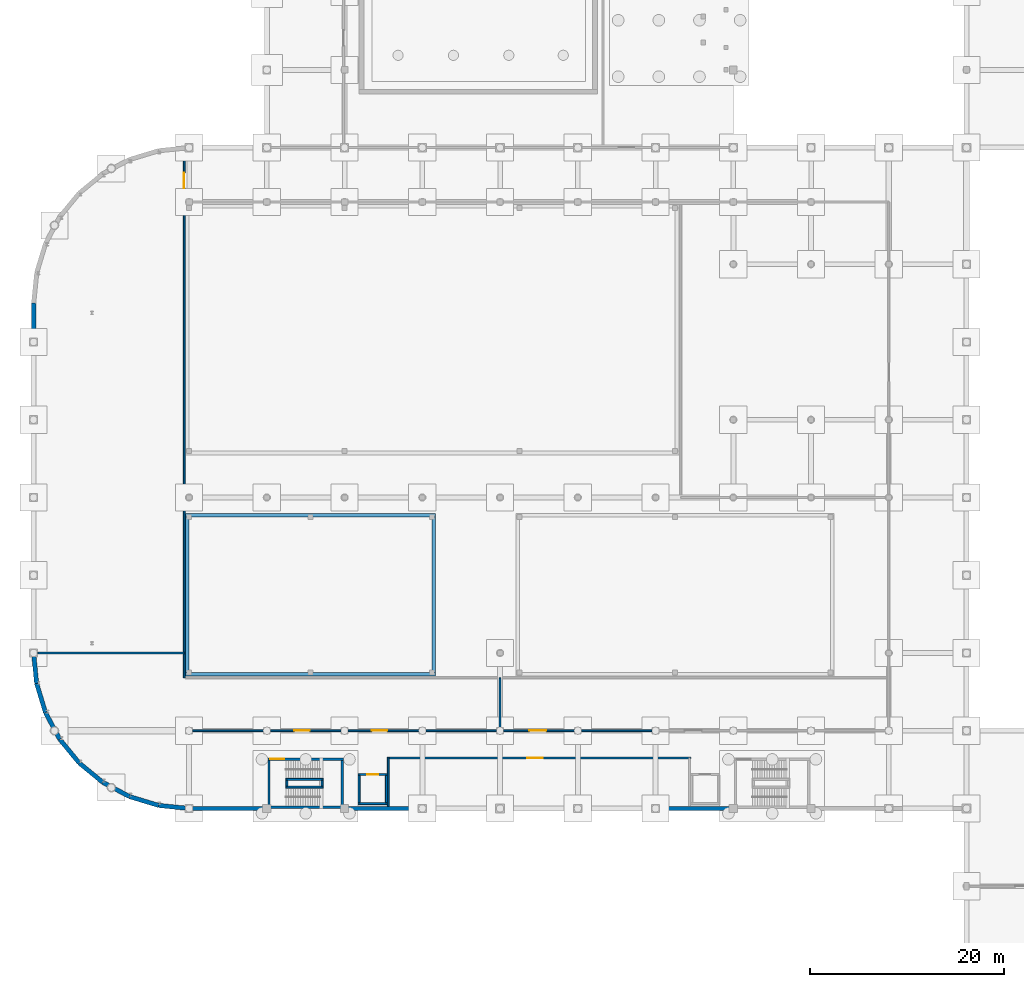
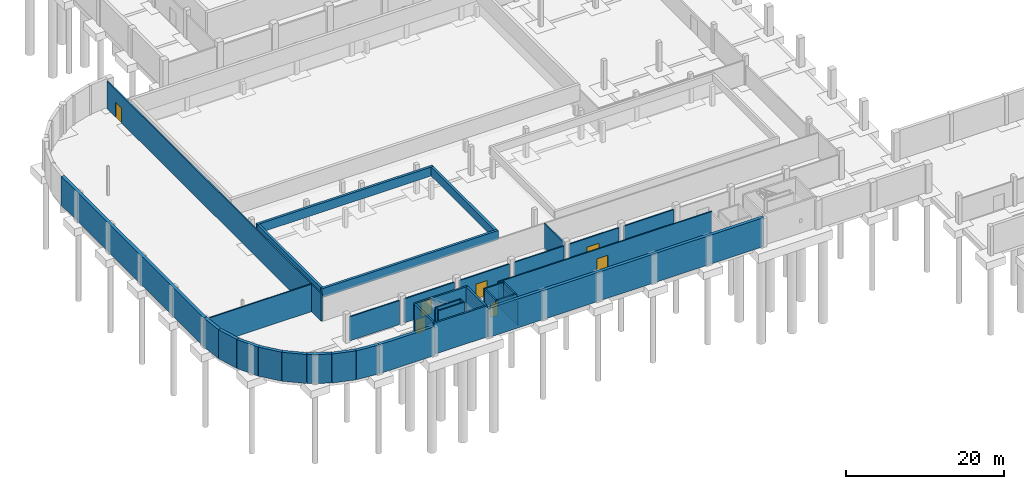
# One storey, part 19 of 29: 38 walls, 7 doors, 7 openings.
"""IFC4 building model written with IfcOpenShell, lengths in metres."""

from ifc_helpers import new_model, si_unit, direction, frame, frame_2d, origin, place, context, subcontext, project, spatial, rectangle, extrude, material, layer, layer_set, type_object, element, fill, save


model = new_model("IFC4")

# Units and contexts
model_context = context("Model", 3, precision=1e-05, world=origin(), true_north=direction((0.0, 1.0)))
body_context = subcontext(model_context, "Body", "Model", "MODEL_VIEW")
ifc_project = project(units=[si_unit("LENGTHUNIT", "METRE"), si_unit("AREAUNIT", "SQUARE_METRE"), si_unit("VOLUMEUNIT", "CUBIC_METRE"), si_unit("PLANEANGLEUNIT", "RADIAN"), si_unit("MASSUNIT", "GRAM", prefix="KILO")], contexts=[model_context])

# Site, building, storey
site_placement = place(None, origin())
site = spatial("IfcSite", under=ifc_project, at=site_placement, CompositionType="ELEMENT")
building_placement = place(site_placement, origin())
building = spatial("IfcBuilding", under=site, at=building_placement, Name="Drelvana Railside Aquatics Centre", CompositionType="ELEMENT")
storey_placement = place(building_placement, frame((0.0, 0.0, -4.800048828125)))
storey = spatial("IfcBuildingStorey", under=building, at=storey_placement, Name="B1", CompositionType="ELEMENT", Elevation=-4.800048828125)

# Wall
ifc_material_1 = material(Name="Concrete blockwork compartment wall", Category="masonry")
ifc_layer_1 = layer(ifc_material_1, 0.18505859375, Name="Concrete blockwork compartment wall")
ifc_layer_set_1 = layer_set([ifc_layer_1], Name="Concrete blockwork compartment wall")
wall_type_1 = type_object("IfcWallType", Name="WL-COMP-185", PredefinedType="STANDARD", material=ifc_layer_set_1)
wall_1_placement = place(storey_placement, frame((16.35205078125, 24.0, 0.0), z_axis=(0.0, 0.0, 1.0), x_axis=(1.0, 0.0, 0.0)))
element("IfcWall", 1, at=wall_1_placement, inside=storey, type_object=wall_type_1, Name="B1 South plant corridor N wall", PredefinedType="STANDARD", context=body_context, shape_type="SweptSolid", body=[
    extrude(rectangle(XDim=7.2958984375, YDim=0.18505859375, at=frame_2d((3.64794921875, 0.0))), origin(), (0.0, 0.0, 1.0), 3.699951171875),
])

# Wall, opening, door
wall_2_placement = place(storey_placement, frame((24.35205078125, 24.0, 0.0), z_axis=(0.0, 0.0, 1.0), x_axis=(1.0, 0.0, 0.0)))
wall_2 = element("IfcWall", 2, at=wall_2_placement, inside=storey, type_object=wall_type_1, Name="B1 South plant corridor N wall", PredefinedType="STANDARD", context=body_context, shape_type="SweptSolid", body=[
    extrude(rectangle(XDim=7.2958984375, YDim=0.18505859375, at=frame_2d((3.64794921875, 0.0))), origin(), (0.0, 0.0, 1.0), 3.699951171875),
])
opening_1_placement = place(wall_2_placement, frame((2.447998046875, 0.0, 0.0)))
opening_1 = element("IfcOpeningElement", 3, at=opening_1_placement, cuts=wall_2, Name="Opening D-04-105", PredefinedType="OPENING", context=body_context, shape_type="SweptSolid", body=[
    extrude(rectangle(XDim=1.60009765625, YDim=2.300048828125, at=frame_2d((0.800048828125, 1.14990234375))), frame((0.0, 0.1025390625, 0.0), z_axis=(0.0, -1.0, 0.0), x_axis=(1.0, 0.0, 0.0)), (0.0, 0.0, 1.0), 0.205078125),
])
ifc_material_2 = material(Name="Acoustic fire-rated steel plant door", Category="steel")
door_type_1 = type_object("IfcDoorType", Name="DR-INT-PLANT-1600x2300", OperationType="DOUBLE_DOOR_SINGLE_SWING", PredefinedType="DOOR", material=ifc_material_2)
door_1_placement = place(opening_1_placement, origin())
door_1 = element("IfcDoor", 4, at=door_1_placement, inside=storey, type_object=door_type_1, Name="Filtration plant west door D-04-105", OperationType="DOUBLE_DOOR_SINGLE_SWING", OverallHeight=2.300048828125, OverallWidth=1.60009765625, PredefinedType="DOOR", context=body_context, shape_type="SweptSolid", body=[
    extrude(rectangle(XDim=1.60009765625, YDim=2.300048828125, at=frame_2d((0.800048828125, 1.14990234375))), frame((0.0, 0.02490234375, 0.0), z_axis=(0.0, -1.0, 0.0), x_axis=(1.0, 0.0, 0.0)), (0.0, 0.0, 1.0), 0.050048828125),
])
fill(opening_1, door_1)

wall_3_placement = place(storey_placement, frame((32.35205078125, 24.0, 0.0), z_axis=(0.0, 0.0, 1.0), x_axis=(1.0, 0.0, 0.0)))
wall_3 = element("IfcWall", 5, at=wall_3_placement, inside=storey, type_object=wall_type_1, Name="B1 South plant corridor N wall", PredefinedType="STANDARD", context=body_context, shape_type="SweptSolid", body=[
    extrude(rectangle(XDim=7.2958984375, YDim=0.18505859375, at=frame_2d((3.64794921875, 0.0))), origin(), (0.0, 0.0, 1.0), 3.699951171875),
])
opening_2_placement = place(wall_3_placement, frame((2.447998046875, 0.0, 0.0)))
opening_2 = element("IfcOpeningElement", 6, at=opening_2_placement, cuts=wall_3, Name="Opening D-04-106", PredefinedType="OPENING", context=body_context, shape_type="SweptSolid", body=[
    extrude(rectangle(XDim=1.60009765625, YDim=2.300048828125, at=frame_2d((0.800048828125, 1.14990234375))), frame((0.0, 0.1025390625, 0.0), z_axis=(0.0, -1.0, 0.0), x_axis=(1.0, 0.0, 0.0)), (0.0, 0.0, 1.0), 0.205078125),
])
door_2_placement = place(opening_2_placement, origin())
door_2 = element("IfcDoor", 7, at=door_2_placement, inside=storey, type_object=door_type_1, Name="Filtration plant east door D-04-106", OperationType="DOUBLE_DOOR_SINGLE_SWING", OverallHeight=2.300048828125, OverallWidth=1.60009765625, PredefinedType="DOOR", context=body_context, shape_type="SweptSolid", body=[
    extrude(rectangle(XDim=1.60009765625, YDim=2.300048828125, at=frame_2d((0.800048828125, 1.14990234375))), frame((0.0, 0.02490234375, 0.0), z_axis=(0.0, -1.0, 0.0), x_axis=(1.0, 0.0, 0.0)), (0.0, 0.0, 1.0), 0.050048828125),
])
fill(opening_2, door_2)

# Wall
wall_4_placement = place(storey_placement, frame((40.35205078125, 24.0, 0.0), z_axis=(0.0, 0.0, 1.0), x_axis=(1.0, 0.0, 0.0)))
element("IfcWall", 8, at=wall_4_placement, inside=storey, type_object=wall_type_1, Name="B1 South plant corridor N wall", PredefinedType="STANDARD", context=body_context, shape_type="SweptSolid", body=[
    extrude(rectangle(XDim=7.2958984375, YDim=0.18505859375, at=frame_2d((3.64794921875, 0.0))), origin(), (0.0, 0.0, 1.0), 3.699951171875),
])

# Wall, opening, door
wall_5_placement = place(storey_placement, frame((48.35205078125, 24.0, 0.0), z_axis=(0.0, 0.0, 1.0), x_axis=(1.0, 0.0, 0.0)))
wall_5 = element("IfcWall", 9, at=wall_5_placement, inside=storey, type_object=wall_type_1, Name="B1 South plant corridor N wall", PredefinedType="STANDARD", context=body_context, shape_type="SweptSolid", body=[
    extrude(rectangle(XDim=7.2958984375, YDim=0.18505859375, at=frame_2d((3.64794921875, 0.0))), origin(), (0.0, 0.0, 1.0), 3.699951171875),
])
opening_3_placement = place(wall_5_placement, frame((2.64794921875, 0.0, 0.0)))
opening_3 = element("IfcOpeningElement", 10, at=opening_3_placement, cuts=wall_5, Name="Opening D-15-107", PredefinedType="OPENING", context=body_context, shape_type="SweptSolid", body=[
    extrude(rectangle(XDim=1.75, YDim=2.35009765625, at=frame_2d((0.875, 1.175048828125))), frame((0.0, 0.1025390625, 0.0), z_axis=(0.0, -1.0, 0.0), x_axis=(1.0, 0.0, 0.0)), (0.0, 0.0, 1.0), 0.205078125),
])
ifc_material_3 = material(Name="Heavy plant hall double door", Category="wood")
door_type_2 = type_object("IfcDoorType", Name="DR-INT-PLANT-1750x2350", OperationType="DOUBLE_DOOR_SINGLE_SWING", PredefinedType="DOOR", material=ifc_material_3)
door_3_placement = place(opening_3_placement, origin())
door_3 = element("IfcDoor", 11, at=door_3_placement, inside=storey, type_object=door_type_2, Name="Ozone treatment west door D-15-107", OperationType="DOUBLE_DOOR_SINGLE_SWING", OverallHeight=2.35009765625, OverallWidth=1.75, PredefinedType="DOOR", context=body_context, shape_type="SweptSolid", body=[
    extrude(rectangle(XDim=1.75, YDim=2.35009765625, at=frame_2d((0.875, 1.175048828125))), frame((0.0, 0.02490234375, 0.0), z_axis=(0.0, -1.0, 0.0), x_axis=(1.0, 0.0, 0.0)), (0.0, 0.0, 1.0), 0.050048828125),
])
fill(opening_3, door_3)

# Wall
wall_6_placement = place(storey_placement, frame((56.35205078125, 24.0, 0.0), z_axis=(0.0, 0.0, 1.0), x_axis=(1.0, 0.0, 0.0)))
element("IfcWall", 12, at=wall_6_placement, inside=storey, type_object=wall_type_1, Name="B1 South plant corridor N wall", PredefinedType="STANDARD", context=body_context, shape_type="SweptSolid", body=[
    extrude(rectangle(XDim=7.2958984375, YDim=0.18505859375, at=frame_2d((3.64794921875, 0.0))), origin(), (0.0, 0.0, 1.0), 3.699951171875),
])

# Wall, opening, door
wall_7_placement = place(storey_placement, frame((36.39990234375, 21.199951171875, 0.0), z_axis=(0.0, 0.0, 1.0), x_axis=(1.0, 0.0, 0.0)))
wall_7 = element("IfcWall", 13, at=wall_7_placement, inside=storey, type_object=wall_type_1, Name="B1 Chemical store N wall", PredefinedType="STANDARD", context=body_context, shape_type="SweptSolid", body=[
    extrude(rectangle(XDim=31.2001953125, YDim=0.18505859375, at=frame_2d((15.60009765625, 0.0))), origin(), (0.0, 0.0, 1.0), 3.75),
])
opening_4_placement = place(wall_7_placement, frame((14.39990234375, 0.0, 0.0)))
opening_4 = element("IfcOpeningElement", 14, at=opening_4_placement, cuts=wall_7, Name="Opening D-04-109", PredefinedType="OPENING", context=body_context, shape_type="SweptSolid", body=[
    extrude(rectangle(XDim=1.60009765625, YDim=2.300048828125, at=frame_2d((0.800048828125, 1.14990234375))), frame((0.0, 0.1025390625, 0.0), z_axis=(0.0, -1.0, 0.0), x_axis=(1.0, 0.0, 0.0)), (0.0, 0.0, 1.0), 0.205078125),
])
door_4_placement = place(opening_4_placement, origin())
door_4 = element("IfcDoor", 15, at=door_4_placement, inside=storey, type_object=door_type_1, Name="Chemical dosing store door D-04-109", OperationType="DOUBLE_DOOR_SINGLE_SWING", OverallHeight=2.300048828125, OverallWidth=1.60009765625, PredefinedType="DOOR", context=body_context, shape_type="SweptSolid", body=[
    extrude(rectangle(XDim=1.60009765625, YDim=2.300048828125, at=frame_2d((0.800048828125, 1.14990234375))), frame((0.0, 0.02490234375, 0.0), z_axis=(0.0, -1.0, 0.0), x_axis=(1.0, 0.0, 0.0)), (0.0, 0.0, 1.0), 0.050048828125),
])
fill(opening_4, door_4)

# Walls
wall_8_placement = place(storey_placement, frame((36.5, 16.219970703125, 0.0), z_axis=(0.0, 0.0, 1.0), x_axis=(0.0, 1.0, 0.0)))
element("IfcWall", 16, at=wall_8_placement, inside=storey, type_object=wall_type_1, Name="B1 Chemical store W wall", PredefinedType="STANDARD", context=body_context, shape_type="SweptSolid", body=[
    extrude(rectangle(XDim=4.97998046875, YDim=0.18505859375, at=frame_2d((2.489990234375, 0.0))), origin(), (0.0, 0.0, 1.0), 3.650146484375),
])
wall_9_placement = place(storey_placement, frame((48.0, 24.35205078125, 0.0), z_axis=(0.0, 0.0, 1.0), x_axis=(0.0, 1.0, 0.0)))
element("IfcWall", 17, at=wall_9_placement, inside=storey, type_object=wall_type_1, Name="B1 Filtration-Ozone divider", PredefinedType="STANDARD", context=body_context, shape_type="SweptSolid", body=[
    extrude(rectangle(XDim=5.097900390625, YDim=0.18505859375, at=frame_2d((2.548828125, 0.0))), origin(), (0.0, 0.0, 1.0), 3.75),
])

# Wall, opening, door
wall_10_placement = place(storey_placement, frame((15.5, 29.449951171875, 0.0), z_axis=(0.0, 0.0, 1.0), x_axis=(0.0, 1.0, 0.0)))
wall_10 = element("IfcWall", 18, at=wall_10_placement, inside=storey, type_object=wall_type_1, Name="B1 Balance tank E wall", PredefinedType="STANDARD", context=body_context, shape_type="SweptSolid", body=[
    extrude(rectangle(XDim=54.123046875, YDim=0.18505859375, at=frame_2d((27.0615234375, 0.0))), origin(), (0.0, 0.0, 1.0), 4.235107421875),
])
opening_5_placement = place(wall_10_placement, frame((50.35009765625, 0.0, 0.0)))
opening_5 = element("IfcOpeningElement", 19, at=opening_5_placement, cuts=wall_10, Name="Opening D-04-110", PredefinedType="OPENING", context=body_context, shape_type="SweptSolid", body=[
    extrude(rectangle(XDim=1.60009765625, YDim=2.300048828125, at=frame_2d((0.800048828125, 1.14990234375))), frame((0.0, 0.1025390625, 0.0), z_axis=(0.0, -1.0, 0.0), x_axis=(1.0, 0.0, 0.0)), (0.0, 0.0, 1.0), 0.205078125),
])
door_5_placement = place(opening_5_placement, origin())
door_5 = element("IfcDoor", 20, at=door_5_placement, inside=storey, type_object=door_type_1, Name="Balance tank chamber door D-04-110", OperationType="DOUBLE_DOOR_SINGLE_SWING", OverallHeight=2.300048828125, OverallWidth=1.60009765625, PredefinedType="DOOR", context=body_context, shape_type="SweptSolid", body=[
    extrude(rectangle(XDim=1.60009765625, YDim=2.300048828125, at=frame_2d((0.800048828125, 1.14990234375))), frame((0.0, 0.02490234375, 0.0), z_axis=(0.0, -1.0, 0.0), x_axis=(1.0, 0.0, 0.0)), (0.0, 0.0, 1.0), 0.050048828125),
])
fill(opening_5, door_5)

# Walls
wall_11_placement = place(storey_placement, frame((0.427001953125, 32.0, 0.0), z_axis=(0.0, 0.0, 1.0), x_axis=(1.0, 0.0, 0.0)))
element("IfcWall", 21, at=wall_11_placement, inside=storey, type_object=wall_type_1, Name="B1 Balance tank S wall", PredefinedType="STANDARD", context=body_context, shape_type="SweptSolid", body=[
    extrude(rectangle(XDim=15.072998046875, YDim=0.18505859375, at=frame_2d((7.53662109375, 0.0))), origin(), (0.0, 0.0, 1.0), 4.235107421875),
])
ifc_material_4 = material(Name="Concrete C40/50", Category="concrete")
ifc_layer_2 = layer(ifc_material_4, 0.25, Name="Concrete C40/50")
ifc_layer_set_2 = layer_set([ifc_layer_2], Name="Concrete C40/50")
wall_type_2 = type_object("IfcWallType", Name="WL-CORE-250", PredefinedType="SHEAR", material=ifc_layer_set_2)
wall_12_placement = place(storey_placement, frame((24.10009765625, 16.125, 0.0), z_axis=(0.0, 0.0, 1.0), x_axis=(1.0, 0.0, 0.0)))
element("IfcWall", 22, at=wall_12_placement, inside=storey, type_object=wall_type_2, Name="Core 1 South-West Pool Hall S core wall (B1)", PredefinedType="SHEAR", context=body_context, shape_type="SweptSolid", body=[
    extrude(rectangle(XDim=7.7998046875, YDim=0.25, at=frame_2d((3.89990234375, 0.0))), origin(), (0.0, 0.0, 1.0), 4.800048828125),
])

# Wall, opening, door
wall_13_placement = place(storey_placement, frame((24.10009765625, 21.074951171875, 0.0), z_axis=(0.0, 0.0, 1.0), x_axis=(1.0, 0.0, 0.0)))
wall_13 = element("IfcWall", 23, at=wall_13_placement, inside=storey, type_object=wall_type_2, Name="Core 1 South-West Pool Hall N core wall (B1)", PredefinedType="SHEAR", context=body_context, shape_type="SweptSolid", body=[
    extrude(rectangle(XDim=7.7998046875, YDim=0.25, at=frame_2d((3.89990234375, 0.0))), origin(), (0.0, 0.0, 1.0), 4.800048828125),
])
opening_6_placement = place(wall_13_placement, frame((0.25, 0.0, 0.0)))
opening_6 = element("IfcOpeningElement", 24, at=opening_6_placement, cuts=wall_13, Name="Opening D-01-001", PredefinedType="OPENING", context=body_context, shape_type="SweptSolid", body=[
    extrude(rectangle(XDim=1.449951171875, YDim=2.199951171875, at=frame_2d((0.72509765625, 1.10009765625))), frame((0.0, 0.135009765625, 0.0), z_axis=(0.0, -1.0, 0.0), x_axis=(1.0, 0.0, 0.0)), (0.0, 0.0, 1.0), 0.27001953125),
])
ifc_material_5 = material(Name="Fire-rated steel and vision-panel door", Category="steel")
door_type_3 = type_object("IfcDoorType", Name="DR-INT-STAIR-1450x2200", OperationType="DOUBLE_DOOR_SINGLE_SWING", PredefinedType="DOOR", material=ifc_material_5)
door_6_placement = place(opening_6_placement, origin())
door_6 = element("IfcDoor", 25, at=door_6_placement, inside=storey, type_object=door_type_3, Name="Stair ST-01 lobby door D-01-001", OperationType="DOUBLE_DOOR_SINGLE_SWING", OverallHeight=2.199951171875, OverallWidth=1.449951171875, PredefinedType="DOOR", context=body_context, shape_type="SweptSolid", body=[
    extrude(rectangle(XDim=1.449951171875, YDim=2.199951171875, at=frame_2d((0.72509765625, 1.10009765625))), frame((0.0, 0.02490234375, 0.0), z_axis=(0.0, -1.0, 0.0), x_axis=(1.0, 0.0, 0.0)), (0.0, 0.0, 1.0), 0.050048828125),
])
fill(opening_6, door_6)

# Walls
for number, where, z_axis, x_axis, name in (
    (26, (24.22509765625, 16.25, 0.0), (0.0, 0.0, 1.0), (0.0, 1.0, 0.0), "Core 1 South-West Pool Hall W core wall (B1)"),
    (27, (31.77490234375, 16.25, 0.0), (0.0, 0.0, 1.0), (0.0, 1.0, 0.0), "Core 1 South-West Pool Hall E core wall (B1)"),
):
    element("IfcWall", number, at=place(storey_placement, frame(where, z_axis=z_axis, x_axis=x_axis)), inside=storey, type_object=wall_type_2, Name=name, PredefinedType="SHEAR", context=body_context, shape_type="SweptSolid", body=[
        extrude(rectangle(XDim=4.699951171875, YDim=0.25, at=frame_2d((2.35009765625, 0.0))), origin(), (0.0, 0.0, 1.0), 4.800048828125),
    ])
ifc_material_6 = material(Name="Waterproof concrete C40/50", Category="concrete")
ifc_layer_3 = layer(ifc_material_6, 0.449951171875, Name="Waterproof concrete C40/50")
ifc_layer_set_3 = layer_set([ifc_layer_3], Name="Waterproof concrete C40/50")
wall_type_3 = type_object("IfcWallType", Name="WL-RET-450", PredefinedType="SOLIDWALL", material=ifc_layer_set_3)
wall_14_placement = place(storey_placement, frame((16.0, 16.0, 0.0), z_axis=(0.0, 0.0, 1.0), x_axis=(1.0, 0.0, 0.0)))
element("IfcWall", 28, at=wall_14_placement, inside=storey, type_object=wall_type_3, Name="Basement retaining wall V1-S-1", PredefinedType="SOLIDWALL", context=body_context, shape_type="SweptSolid", body=[
    extrude(rectangle(XDim=8.097900390625, YDim=0.449951171875, at=frame_2d((4.048828125, 0.0))), origin(), (0.0, 0.0, 1.0), 4.469970703125),
])
wall_15_placement = place(storey_placement, frame((31.902099609375, 16.0, 0.0), z_axis=(0.0, 0.0, 1.0), x_axis=(1.0, 0.0, 0.0)))
element("IfcWall", 29, at=wall_15_placement, inside=storey, type_object=wall_type_3, Name="Basement retaining wall V1-S-2", PredefinedType="SOLIDWALL", context=body_context, shape_type="SweptSolid", body=[
    extrude(rectangle(XDim=40.19580078125, YDim=0.449951171875, at=frame_2d((20.097900390625, 0.0))), origin(), (0.0, 0.0, 1.0), 4.469970703125),
])
wall_16_placement = place(storey_placement, frame((0.0, 32.0, 0.0), z_axis=(0.0, 0.0, 1.0), x_axis=(0.0, 1.0, 0.0)))
element("IfcWall", 30, at=wall_16_placement, inside=storey, type_object=wall_type_3, Name="Basement retaining wall V1-W", PredefinedType="SOLIDWALL", context=body_context, shape_type="SweptSolid", body=[
    extrude(rectangle(XDim=36.0, YDim=0.449951171875, at=frame_2d((18.0, 0.0))), origin(), (0.0, 0.0, 1.0), 4.469970703125),
])
wall_17_placement = place(storey_placement, frame((0.0, 32.0, 0.0), z_axis=(0.0, 0.0, 1.0), x_axis=(0.098000751113, -0.995186340733, 0.0)))
element("IfcWall", 31, at=wall_17_placement, inside=storey, type_object=wall_type_3, Name="Basement curved retaining wall V1-SW-1", PredefinedType="SOLIDWALL", context=body_context, shape_type="SweptSolid", body=[
    extrude(rectangle(XDim=3.136474609375, YDim=0.449951171875, at=frame_2d((1.568359375, 0.0))), origin(), (0.0, 0.0, 1.0), 4.469970703125),
])
wall_18_placement = place(storey_placement, frame((0.307373046875, 28.878662109375, 0.0), z_axis=(0.0, 0.0, 1.0), x_axis=(0.29030980253, -0.956932713703, 0.0)))
element("IfcWall", 32, at=wall_18_placement, inside=storey, type_object=wall_type_3, Name="Basement curved retaining wall V1-SW-2", PredefinedType="SOLIDWALL", context=body_context, shape_type="SweptSolid", body=[
    extrude(rectangle(XDim=3.13671875, YDim=0.449951171875, at=frame_2d((1.568359375, 0.0))), origin(), (0.0, 0.0, 1.0), 4.469970703125),
])
for number, where, z_axis, x_axis, name in (
    (33, (1.218017578125, 25.876953125, 0.0), (0.0, 0.0, 1.0), (0.471396060548, -0.881921625826, 0.0), "Basement curved retaining wall V1-SW-3"),
    (34, (2.696533203125, 23.11083984375, 0.0), (0.0, 0.0, 1.0), (0.634385792339, -0.773016601683, 0.0), "Basement curved retaining wall V1-SW-4"),
    (35, (4.686279296875, 20.686279296875, 0.0), (0.0, 0.0, 1.0), (0.773016601683, -0.634385792339, 0.0), "Basement curved retaining wall V1-SW-5"),
    (36, (7.11083984375, 18.696533203125, 0.0), (0.0, 0.0, 1.0), (0.881921625826, -0.471396060548, 0.0), "Basement curved retaining wall V1-SW-6"),
):
    element("IfcWall", number, at=place(storey_placement, frame(where, z_axis=z_axis, x_axis=x_axis)), inside=storey, type_object=wall_type_3, Name=name, PredefinedType="SOLIDWALL", context=body_context, shape_type="SweptSolid", body=[
        extrude(rectangle(XDim=3.136474609375, YDim=0.449951171875, at=frame_2d((1.568359375, 0.0))), origin(), (0.0, 0.0, 1.0), 4.469970703125),
    ])
wall_19_placement = place(storey_placement, frame((9.876953125, 17.218017578125, 0.0), z_axis=(0.0, 0.0, 1.0), x_axis=(0.956932713703, -0.29030980253, 0.0)))
element("IfcWall", 37, at=wall_19_placement, inside=storey, type_object=wall_type_3, Name="Basement curved retaining wall V1-SW-7", PredefinedType="SOLIDWALL", context=body_context, shape_type="SweptSolid", body=[
    extrude(rectangle(XDim=3.13671875, YDim=0.449951171875, at=frame_2d((1.568359375, 0.0))), origin(), (0.0, 0.0, 1.0), 4.469970703125),
])
wall_20_placement = place(storey_placement, frame((12.878662109375, 16.307373046875, 0.0), z_axis=(0.0, 0.0, 1.0), x_axis=(0.995186340733, -0.098000751113, 0.0)))
element("IfcWall", 38, at=wall_20_placement, inside=storey, type_object=wall_type_3, Name="Basement curved retaining wall V1-SW-8", PredefinedType="SOLIDWALL", context=body_context, shape_type="SweptSolid", body=[
    extrude(rectangle(XDim=3.136474609375, YDim=0.449951171875, at=frame_2d((1.568359375, 0.0))), origin(), (0.0, 0.0, 1.0), 4.469970703125),
])
ifc_layer_4 = layer(ifc_material_4, 0.199951171875, Name="Concrete C40/50")
ifc_layer_set_4 = layer_set([ifc_layer_4], Name="Concrete C40/50")
wall_type_4 = type_object("IfcWallType", Name="WL-SHFT-200", PredefinedType="SHEAR", material=ifc_layer_set_4)
for number, where, z_axis, x_axis, name in (
    (39, (25.969970703125, 18.199951171875, 0.0), (0.0, 0.0, 1.0), (1.0, 0.0, 0.0), "Stair ST-01 central spine wall A (B1)"),
    (40, (25.969970703125, 19.0, 0.0), (0.0, 0.0, 1.0), (1.0, 0.0, 0.0), "Stair ST-01 central spine wall B (B1)"),
):
    element("IfcWall", number, at=place(storey_placement, frame(where, z_axis=z_axis, x_axis=x_axis)), inside=storey, type_object=wall_type_4, Name=name, PredefinedType="SHEAR", context=body_context, shape_type="SweptSolid", body=[
        extrude(rectangle(XDim=3.820068359375, YDim=0.199951171875, at=frame_2d((1.91015625, 0.0))), origin(), (0.0, 0.0, 1.0), 4.800048828125),
    ])
for number, where, z_axis, x_axis, name in (
    (41, (26.070068359375, 18.300048828125, 0.0), (0.0, 0.0, 1.0), (0.0, 1.0, 0.0), "Stair ST-01 central spine wall W (B1)"),
    (42, (29.68994140625, 18.300048828125, 0.0), (0.0, 0.0, 1.0), (0.0, 1.0, 0.0), "Stair ST-01 central spine wall E (B1)"),
):
    element("IfcWall", number, at=place(storey_placement, frame(where, z_axis=z_axis, x_axis=x_axis)), inside=storey, type_object=wall_type_4, Name=name, PredefinedType="SHEAR", context=body_context, shape_type="SweptSolid", body=[
        extrude(rectangle(XDim=0.599853515625, YDim=0.199951171875, at=frame_2d((0.2998046875, 0.0))), origin(), (0.0, 0.0, 1.0), 4.800048828125),
    ])
wall_21_placement = place(storey_placement, frame((33.39990234375, 16.5, 0.0), z_axis=(0.0, 0.0, 1.0), x_axis=(1.0, 0.0, 0.0)))
element("IfcWall", 43, at=wall_21_placement, inside=storey, type_object=wall_type_4, Name="Lift LP-01 S shaft wall (B1)", PredefinedType="SHEAR", context=body_context, shape_type="SweptSolid", body=[
    extrude(rectangle(XDim=3.0, YDim=0.199951171875, at=frame_2d((1.5, 0.0))), origin(), (0.0, 0.0, 1.0), 4.800048828125),
])

# Wall, opening, door
wall_22_placement = place(storey_placement, frame((33.39990234375, 19.5, 0.0), z_axis=(0.0, 0.0, 1.0), x_axis=(1.0, 0.0, 0.0)))
wall_22 = element("IfcWall", 44, at=wall_22_placement, inside=storey, type_object=wall_type_4, Name="Lift LP-01 N shaft wall (B1)", PredefinedType="SHEAR", context=body_context, shape_type="SweptSolid", body=[
    extrude(rectangle(XDim=3.0, YDim=0.199951171875, at=frame_2d((1.5, 0.0))), origin(), (0.0, 0.0, 1.0), 4.800048828125),
])
opening_7_placement = place(wall_22_placement, frame((0.949951171875, 0.0, 0.0)))
opening_7 = element("IfcOpeningElement", 45, at=opening_7_placement, cuts=wall_22, Name="Opening LD-01-005", PredefinedType="OPENING", context=body_context, shape_type="SweptSolid", body=[
    extrude(rectangle(XDim=1.10009765625, YDim=2.199951171875, at=frame_2d((0.550048828125, 1.10009765625))), frame((0.0, 0.10986328125, 0.0), z_axis=(0.0, -1.0, 0.0), x_axis=(1.0, 0.0, 0.0)), (0.0, 0.0, 1.0), 0.219970703125),
])
ifc_material_7 = material(Name="Stainless steel lift landing sliding door", Category="steel")
door_type_4 = type_object("IfcDoorType", Name="DR-LIFT-LD-1100x2200", OperationType="SLIDING_TO_LEFT", PredefinedType="DOOR", material=ifc_material_7)
door_7_placement = place(opening_7_placement, origin())
door_7 = element("IfcDoor", 46, at=door_7_placement, inside=storey, type_object=door_type_4, Name="Lift LP-01 landing door LD-01-005", OperationType="SLIDING_TO_LEFT", OverallHeight=2.199951171875, OverallWidth=1.10009765625, PredefinedType="DOOR", context=body_context, shape_type="SweptSolid", body=[
    extrude(rectangle(XDim=1.10009765625, YDim=2.199951171875, at=frame_2d((0.550048828125, 1.10009765625))), frame((0.0, 0.02490234375, 0.0), z_axis=(0.0, -1.0, 0.0), x_axis=(1.0, 0.0, 0.0)), (0.0, 0.0, 1.0), 0.050048828125),
])
fill(opening_7, door_7)

# Walls
for number, where, z_axis, x_axis, name in (
    (47, (33.5, 16.60009765625, 0.0), (0.0, 0.0, 1.0), (0.0, 1.0, 0.0), "Lift LP-01 W shaft wall (B1)"),
    (48, (36.300048828125, 16.60009765625, 0.0), (0.0, 0.0, 1.0), (0.0, 1.0, 0.0), "Lift LP-01 E shaft wall (B1)"),
):
    element("IfcWall", number, at=place(storey_placement, frame(where, z_axis=z_axis, x_axis=x_axis)), inside=storey, type_object=wall_type_4, Name=name, PredefinedType="SHEAR", context=body_context, shape_type="SweptSolid", body=[
        extrude(rectangle(XDim=2.7998046875, YDim=0.199951171875, at=frame_2d((1.39990234375, 0.0))), origin(), (0.0, 0.0, 1.0), 4.800048828125),
    ])
ifc_layer_5 = layer(ifc_material_6, 0.35009765625, Name="Waterproof concrete C40/50")
ifc_layer_set_5 = layer_set([ifc_layer_5], Name="Waterproof concrete C40/50")
wall_type_5 = type_object("IfcWallType", Name="WL-TK-350", PredefinedType="SOLIDWALL", material=ifc_layer_set_5)
for number, where, z_axis, x_axis, name in (
    (49, (15.64990234375, 29.824951171875, 3.400146484375), (0.0, 0.0, 1.0), (1.0, 0.0, 0.0), "Training Pool S tank wall"),
    (50, (15.64990234375, 46.175048828125, 3.400146484375), (0.0, 0.0, 1.0), (1.0, 0.0, 0.0), "Training Pool N tank wall"),
):
    element("IfcWall", number, at=place(storey_placement, frame(where, z_axis=z_axis, x_axis=x_axis)), inside=storey, type_object=wall_type_5, Name=name, PredefinedType="SOLIDWALL", context=body_context, shape_type="SweptSolid", body=[
        extrude(rectangle(XDim=25.7001953125, YDim=0.35009765625, at=frame_2d((12.85009765625, 0.0))), origin(), (0.0, 0.0, 1.0), 1.39990234375),
    ])
for number, where, z_axis, x_axis, name in (
    (51, (15.824951171875, 30.0, 3.400146484375), (0.0, 0.0, 1.0), (0.0, 1.0, 0.0), "Training Pool W tank wall"),
    (52, (41.175048828125, 30.0, 3.400146484375), (0.0, 0.0, 1.0), (0.0, 1.0, 0.0), "Training Pool E tank wall"),
):
    element("IfcWall", number, at=place(storey_placement, frame(where, z_axis=z_axis, x_axis=x_axis)), inside=storey, type_object=wall_type_5, Name=name, PredefinedType="SOLIDWALL", context=body_context, shape_type="SweptSolid", body=[
        extrude(rectangle(XDim=16.0, YDim=0.35009765625, at=frame_2d((8.0, 0.0))), origin(), (0.0, 0.0, 1.0), 1.39990234375),
    ])

save(model, "model.ifc")
